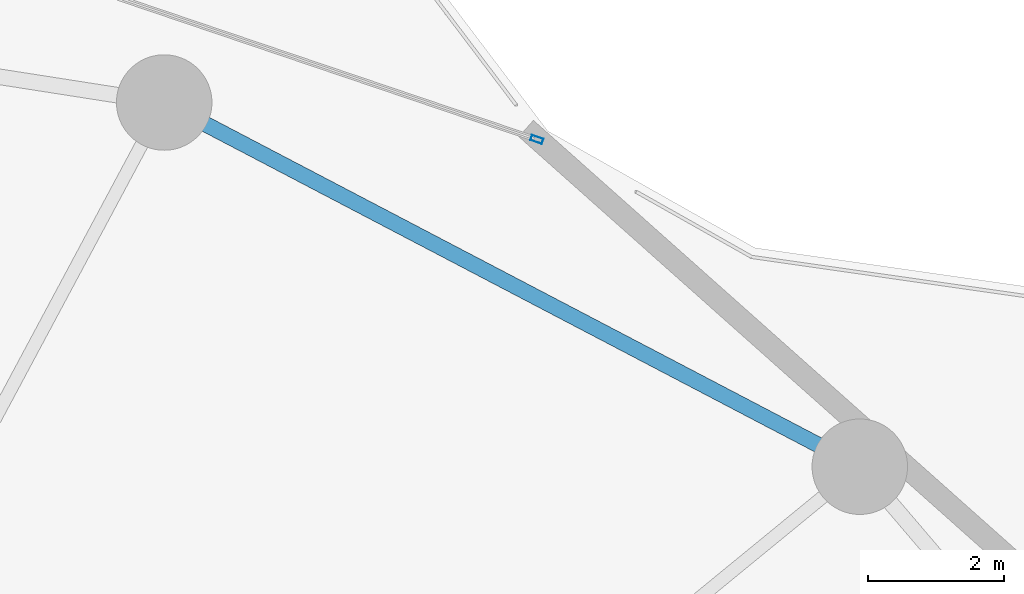
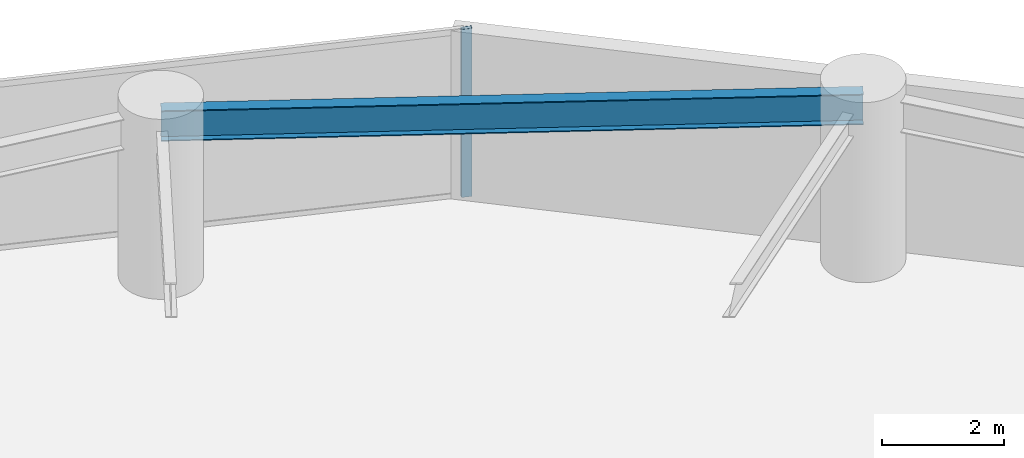
# One storey, part 22 of 31: 1 beam, 1 member, 1 element without a shape of its own.
"""IFC4 building model written with IfcOpenShell, lengths in metres."""

from ifc_helpers import new_model, si_unit, direction, frame, origin, origin_2d, place, context, subcontext, project, spatial, hollow_rectangle, i_section, extrude, material, layer, layer_set, material_profile, profile_set, type_object, element, aggregate, save


model = new_model("IFC4")

# Units and contexts
model_context = context("Model", 3, precision=1e-05, world=origin(), true_north=direction((0.0, 1.0)))
body_context = subcontext(model_context, "Body", "Model", "MODEL_VIEW")
ifc_project = project(units=[si_unit("LENGTHUNIT", "METRE"), si_unit("AREAUNIT", "SQUARE_METRE"), si_unit("VOLUMEUNIT", "CUBIC_METRE"), si_unit("PLANEANGLEUNIT", "RADIAN"), si_unit("MASSUNIT", "GRAM", prefix="KILO")], contexts=[model_context])

# Site, building, storey
site_placement = place(None, origin())
site = spatial("IfcSite", under=ifc_project, at=site_placement, CompositionType="ELEMENT")
building_placement = place(site_placement, origin())
building = spatial("IfcBuilding", under=site, at=building_placement, Name="Kazevale Care Tower and Concert Hall", CompositionType="ELEMENT")
storey_placement = place(building_placement, frame((0.0, 0.0, 81.60009765625)))
storey = spatial("IfcBuildingStorey", under=building, at=storey_placement, Name="L21", CompositionType="ELEMENT", Elevation=81.60009765625)

# Curtain wall, member
ifc_material_1 = material(Name="Aluminium 6063-T6 and Low-E Glass", Category="aluminium")
ifc_layer = layer(ifc_material_1, 0.179931640625)
ifc_layer_set = layer_set([ifc_layer], Name="Aluminium 6063-T6 and Low-E Glass")
curtain_wall_type = type_object("IfcCurtainWallType", Name="Convex Checkerboard Finned Curtain Wall CW-2", PredefinedType="NOTDEFINED", material=ifc_layer_set)
curtain_wall_placement = place(storey_placement, origin())
curtain_wall = element("IfcCurtainWall", 1, at=curtain_wall_placement, inside=storey, type_object=curtain_wall_type, Name="cw:L21:f16", PredefinedType="NOTDEFINED")
ifc_material_2 = material(Name="Aluminium 6063-T6", Category="aluminium")
ifc_material_profile_1 = material_profile(ifc_material_2, hollow_rectangle(XDim=0.080078125, YDim=0.179931640625, WallThickness=0.0048828125, at=origin_2d()), Name="ALU80x180x5")
ifc_profile_set_1 = profile_set([ifc_material_profile_1], Name="Aluminium 6063-T6")
member_type = type_object("IfcMemberType", Name="CW-2 Mullion ALU80x180x5", PredefinedType="MULLION", material=ifc_profile_set_1)
member_placement = place(storey_placement, frame((62.504150390625, 60.227783203125, 0.0), z_axis=(0.0, 0.0, 1.0), x_axis=(0.320635577685, 0.947202632135, 0.0)))
member = element("IfcMember", 2, at=member_placement, type_object=member_type, Name="CW-2 mullion 2", PredefinedType="MULLION", context=body_context, shape_type="SweptSolid", body=[
    extrude(hollow_rectangle(XDim=0.080078125, YDim=0.179931640625, WallThickness=0.0048828125, at=origin_2d()), origin(), (0.0, 0.0, 1.0), 3.35986328125),
])
aggregate(curtain_wall, [member])

# Beam
ifc_material_3 = material(Name="Steel ASTM A572 Gr 50", Category="steel")
ifc_material_profile_2 = material_profile(ifc_material_3, i_section(OverallWidth=0.22900390625, OverallDepth=0.612060546875, WebThickness=0.011962890625, FlangeThickness=0.01953125, at=origin_2d()), Name="W610x125")
ifc_profile_set_2 = profile_set([ifc_material_profile_2], Name="Steel ASTM A572 Gr 50")
beam_type = type_object("IfcBeamType", Name="Ring Spandrel Beam W610x125", PredefinedType="SPANDREL", material=ifc_profile_set_2)
beam_placement = place(storey_placement, frame((67.239990234375, 55.429931640625, 3.053955078125), z_axis=(-0.885929466679, 0.463819986708, 0.0), x_axis=(-0.463819986708, -0.885929466679, 0.0)))
element("IfcBeam", 3, at=beam_placement, inside=storey, type_object=beam_type, Name="beam:L21:ring:03", PredefinedType="SPANDREL", context=body_context, shape_type="SweptSolid", body=[
    extrude(i_section(OverallWidth=0.22900390625, OverallDepth=0.612060546875, WebThickness=0.011962890625, FlangeThickness=0.01953125, at=origin_2d()), origin(), (0.0, 0.0, 1.0), 11.51318359375),
])

save(model, "model.ifc")
